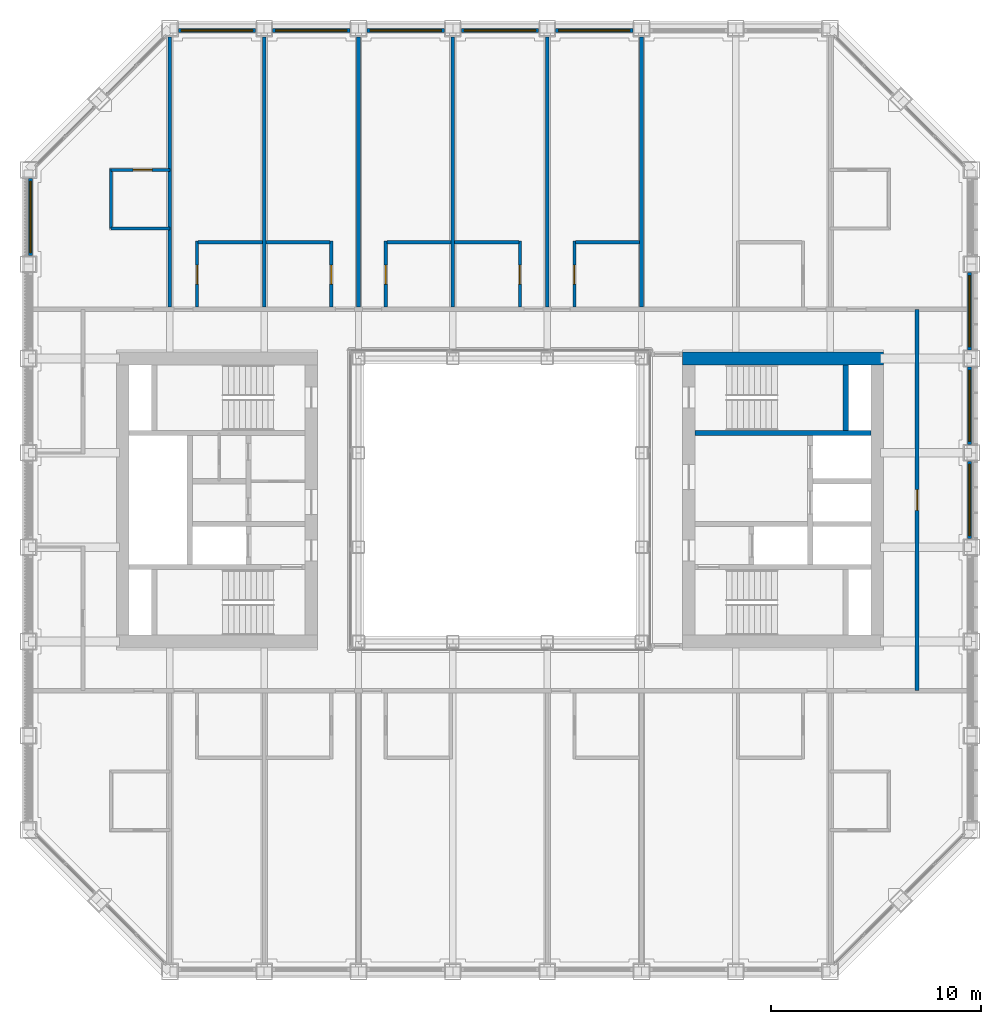
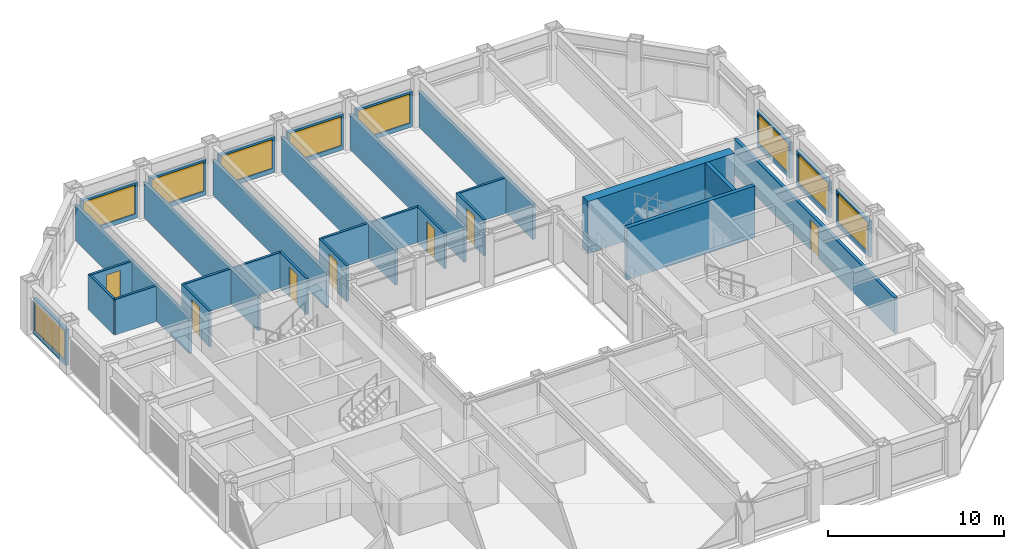
# One storey, part 13 of 17: 32 walls, 9 windows, 7 doors, 16 openings.
"""IFC4 building model written with IfcOpenShell, lengths in metres."""

import ifcopenshell
import ifcopenshell.guid

model = None  # the IFC model being written
_history = None  # IfcOwnerHistory: only IFC2X3 demands one
_inside = {}  # id of a spatial element -> (the spatial element, [elements in it])
_under = {}  # id of a project, library or spatial element -> (it, [spatial elements below it])
_declared = {}  # id of a project -> (the project, [libraries it declares])
_typed = {}  # id of a type object -> (the type object, [elements of that type])
_made_of = {}  # id of a material, layer set ... -> (it, [elements and type objects made of it])


def new_model(schema):
    """Start an empty IFC model of exactly this schema.

    Asked for "IFC4X3", IfcOpenShell would pick the latest addendum, in which some entities
    have other attributes; the version numbers below select the first issue.
    IFC2X3 requires an IfcOwnerHistory on every rooted entity: one is made here for all.
    """
    global model, _history
    if schema == "IFC4X3":
        model = ifcopenshell.file(schema_version=(4, 3, 0, 0))
    else:
        model = ifcopenshell.file(schema=schema)
    _inside.clear()
    _under.clear()
    _declared.clear()
    _typed.clear()
    _made_of.clear()
    _history = None
    if model.schema == "IFC2X3":
        org = make("IfcOrganization", Name="unknown")
        user = make(
            "IfcPersonAndOrganization",
            ThePerson=make("IfcPerson", FamilyName="unknown"),
            TheOrganization=org,
        )
        app = make(
            "IfcApplication",
            ApplicationDeveloper=org,
            Version="unknown",
            ApplicationFullName="unknown",
            ApplicationIdentifier="unknown",
        )
        _history = make(
            "IfcOwnerHistory",
            OwningUser=user,
            OwningApplication=app,
            ChangeAction="ADDED",
            CreationDate=0,
        )
    return model


def make(cls, **values):
    """One entity of the class cls with the attributes given. An attribute that is None is left unset."""
    return model.create_entity(
        cls, **{name: value for name, value in values.items() if value is not None}
    )


def rooted(cls, **values):
    """An entity with a GlobalId (a new one), such as an element, a storey or a relation."""
    return make(cls, GlobalId=ifcopenshell.guid.new(), OwnerHistory=_history, **values)


def si_unit(unit_type, name, prefix=None):
    """IfcSIUnit, for example si_unit("LENGTHUNIT", "METRE", prefix="MILLI")."""
    return make("IfcSIUnit", UnitType=unit_type, Prefix=prefix, Name=name)


def assignment(units):
    """IfcUnitAssignment: the units of a project."""
    return None if units is None else make("IfcUnitAssignment", Units=units)


def point(xyz):
    """IfcCartesianPoint."""
    return None if xyz is None else make("IfcCartesianPoint", Coordinates=xyz)


def direction(xyz):
    """IfcDirection."""
    return None if xyz is None else make("IfcDirection", DirectionRatios=xyz)


def frame(location, z_axis=None, x_axis=None):
    """IfcAxis2Placement3D, a coordinate frame: its origin and axes. An axis left out is left unset."""
    return make(
        "IfcAxis2Placement3D",
        Location=point(location),
        Axis=direction(z_axis),
        RefDirection=direction(x_axis),
    )


def frame_2d(location, x_axis=None):
    """IfcAxis2Placement2D, a coordinate frame in the plane: its origin and x axis."""
    return make(
        "IfcAxis2Placement2D", Location=point(location), RefDirection=direction(x_axis)
    )


def origin():
    """The frame at (0, 0, 0) with its axes left unset."""
    return frame((0.0, 0.0, 0.0))


def place(relative_to, where):
    """IfcLocalPlacement: puts the frame where relative to a parent placement (None: the world)."""
    return make(
        "IfcLocalPlacement", PlacementRelTo=relative_to, RelativePlacement=where
    )


def context(
    kind, dimensions, precision=None, world=None, true_north=None, identifier=None
):
    """IfcGeometricRepresentationContext, for example the 3D "Model" context."""
    return make(
        "IfcGeometricRepresentationContext",
        ContextIdentifier=identifier,
        ContextType=kind,
        CoordinateSpaceDimension=dimensions,
        Precision=precision,
        WorldCoordinateSystem=world,
        TrueNorth=true_north,
    )


def subcontext(parent, identifier, kind, view, scale=None):
    """IfcGeometricRepresentationSubContext, for example "Body" below "Model"."""
    return make(
        "IfcGeometricRepresentationSubContext",
        ContextIdentifier=identifier,
        ContextType=kind,
        ParentContext=parent,
        TargetScale=scale,
        TargetView=view,
    )


def project(units=None, contexts=None):
    """IfcProject with its units and contexts."""
    return rooted(
        "IfcProject",
        Name="project",
        RepresentationContexts=contexts,
        UnitsInContext=assignment(units),
    )


def spatial(cls, under=None, at=None, **own):
    """A site, building, storey or space (cls), placed at a placement, below another one or the project."""
    s = rooted(cls, ObjectPlacement=at, **own)
    if under is not None:
        _under.setdefault(under.id(), (under, []))[1].append(s)
    return s


def profile(cls, at=None, kind="AREA", **sizes):
    """A parametric profile (cls). Its sizes go by their IFC names, for example OverallWidth=200.0."""
    return make(cls, ProfileType=kind, Position=at, **sizes)


def rectangle(**sizes):
    """IfcRectangleProfileDef."""
    return profile("IfcRectangleProfileDef", **sizes)


def extrude(swept, where, along, depth):
    """IfcExtrudedAreaSolid: the profile swept, set in the frame where, extruded along a direction by depth."""
    return make(
        "IfcExtrudedAreaSolid",
        SweptArea=swept,
        Position=where,
        ExtrudedDirection=direction(along),
        Depth=depth,
    )


def shape(context_of_items, identifier, shape_type, items):
    """IfcShapeRepresentation: the items that make up one representation, for example the "Body"."""
    return make(
        "IfcShapeRepresentation",
        ContextOfItems=context_of_items,
        RepresentationIdentifier=identifier,
        RepresentationType=shape_type,
        Items=items,
    )


def material(Name=None, Category=None):
    """IfcMaterial."""
    return make("IfcMaterial", Name=Name, Category=Category)


def layer(
    of_material, thickness, ventilated=None, Name=None, Category=None, Priority=None
):
    """IfcMaterialLayer: one layer of a wall or slab, of a material (None: an air gap)."""
    return make(
        "IfcMaterialLayer",
        Material=of_material,
        LayerThickness=thickness,
        IsVentilated=ventilated,
        Name=Name,
        Category=Category,
        Priority=Priority,
    )


def layer_set(layers, Name=None):
    """IfcMaterialLayerSet."""
    return make("IfcMaterialLayerSet", MaterialLayers=layers, LayerSetName=Name)


def made_of(thing, what):
    """Note that an element or type object is made of a material, layer set ...; save() writes the relation."""
    if what is not None:
        _made_of.setdefault(what.id(), (what, []))[1].append(thing)
    return thing


def type_object(cls, material=None, **own):
    """A type object (cls), such as IfcWallType, which elements share."""
    return made_of(rooted(cls, **own), material)


def element(
    cls,
    number,
    at=None,
    inside=None,
    cuts=None,
    type_object=None,
    material=None,
    context=None,
    identifier="Body",
    shape_type=None,
    held_by="IfcProductDefinitionShape",
    body=None,
    shapes=None,
    **own,
):
    """One element of the class cls, such as IfcWall. Its Tag is "e" and its number.

    at: its placement. inside: the storey or other place that contains it. cuts: it is an
    opening in that element (IfcRelVoidsElement). A single representation is given by context,
    identifier, shape_type and body (its items); several are given by shapes. held_by: the class
    of the entity that holds the representations. save() writes the other relations.
    """
    e = rooted(cls, Tag="e%d" % number, ObjectPlacement=at, **own)
    if body is not None:
        shapes = [shape(context, identifier, shape_type, body)]
    if shapes is not None:
        e.Representation = make(held_by, Representations=shapes)
    if inside is not None:
        _inside.setdefault(inside.id(), (inside, []))[1].append(e)
    if cuts is not None:
        rooted(
            "IfcRelVoidsElement", RelatingBuildingElement=cuts, RelatedOpeningElement=e
        )
    if type_object is not None:
        _typed.setdefault(type_object.id(), (type_object, []))[1].append(e)
    return made_of(e, material)


def fill(opening, filler):
    """IfcRelFillsElement: the door or window that sits in an opening."""
    return rooted(
        "IfcRelFillsElement",
        RelatingOpeningElement=opening,
        RelatedBuildingElement=filler,
    )


def aggregate(whole, parts):
    """IfcRelAggregates: a whole, such as a stair, and the parts it consists of."""
    return rooted("IfcRelAggregates", RelatingObject=whole, RelatedObjects=parts)


def save(model, path):
    """Write the relations noted so far, then the file.

    IfcRelAggregates (storeys below a building ...), IfcRelContainedInSpatialStructure (elements
    in a storey), IfcRelDefinesByType, IfcRelAssociatesMaterial and IfcRelDeclares: one each for
    every whole, place, type object, material and project.
    """
    for whole, parts in _under.values():
        aggregate(whole, parts)
    for where, things in _inside.values():
        rooted(
            "IfcRelContainedInSpatialStructure",
            RelatedElements=things,
            RelatingStructure=where,
        )
    for kind, things in _typed.values():
        rooted("IfcRelDefinesByType", RelatedObjects=things, RelatingType=kind)
    for what, things in _made_of.values():
        rooted("IfcRelAssociatesMaterial", RelatedObjects=things, RelatingMaterial=what)
    for by, libraries in _declared.values():
        rooted("IfcRelDeclares", RelatingContext=by, RelatedDefinitions=libraries)
    model.write(path)


model = new_model("IFC4")

# Units and contexts
model_context = context("Model", 3, precision=1e-05, world=origin(), true_north=direction((0.0, 1.0)))
body_context = subcontext(model_context, "Body", "Model", "MODEL_VIEW")
ifc_project = project(units=[si_unit("LENGTHUNIT", "METRE"), si_unit("AREAUNIT", "SQUARE_METRE"), si_unit("VOLUMEUNIT", "CUBIC_METRE"), si_unit("PLANEANGLEUNIT", "RADIAN"), si_unit("MASSUNIT", "GRAM", prefix="KILO")], contexts=[model_context])

# Site, building, storey
site_placement = place(None, origin())
site = spatial("IfcSite", under=ifc_project, at=site_placement, CompositionType="ELEMENT")
building_placement = place(site_placement, origin())
building = spatial("IfcBuilding", under=site, at=building_placement, Name="Msasa Ring Tower", CompositionType="ELEMENT")
storey_placement = place(building_placement, frame((0.0, 0.0, 140.0)))
storey = spatial("IfcBuildingStorey", under=building, at=storey_placement, Name="L36", CompositionType="ELEMENT", Elevation=140.0)

# Walls
ifc_material_1 = material(Name="Concrete C60/75", Category="concrete")
ifc_layer_1 = layer(ifc_material_1, 0.60009765625)
ifc_layer_set_1 = layer_set([ifc_layer_1], Name="CW2 CORE WALL 600")
wall_type_1 = type_object("IfcWallType", Name="CW2 CORE WALL 600", PredefinedType="SHEAR", material=ifc_layer_set_1)
wall_1_placement = place(storey_placement, frame((8.699951171875, 6.75, 0.0), z_axis=(0.0, 0.0, 1.0), x_axis=(1.0, 0.0, 0.0)))
element("IfcWall", 1, at=wall_1_placement, inside=storey, type_object=wall_type_1, Name="E core wall N L36", PredefinedType="SHEAR", context=body_context, shape_type="SweptSolid", body=[
    extrude(rectangle(XDim=9.60009765625, YDim=0.60009765625, at=frame_2d((4.800048828125, 0.0))), origin(), (0.0, 0.0, 1.0), 3.60009765625),
])
ifc_material_2 = material(Name="Concrete C60/75", Category="concrete")
ifc_layer_2 = layer(ifc_material_2, 0.25)
ifc_layer_set_2 = layer_set([ifc_layer_2], Name="CW4 CORE INNER WALL 250")
wall_type_2 = type_object("IfcWallType", Name="CW4 CORE INNER WALL 250", PredefinedType="SHEAR", material=ifc_layer_set_2)
wall_2_placement = place(storey_placement, frame((9.300048828125, 3.199951171875, 0.0), z_axis=(0.0, 0.0, 1.0), x_axis=(1.0, 0.0, 0.0)))
element("IfcWall", 2, at=wall_2_placement, inside=storey, type_object=wall_type_2, Name="E core wall STAIRB L36", PredefinedType="SHEAR", context=body_context, shape_type="SweptSolid", body=[
    extrude(rectangle(XDim=8.39990234375, YDim=0.25, at=frame_2d((4.199951171875, 0.0))), origin(), (0.0, 0.0, 1.0), 3.60009765625),
])
wall_3_placement = place(storey_placement, frame((16.5, 3.324951171875, 0.0), z_axis=(0.0, 0.0, 1.0), x_axis=(0.0, 1.0, 0.0)))
element("IfcWall", 3, at=wall_3_placement, inside=storey, type_object=wall_type_2, Name="E core wall RISERB L36", PredefinedType="SHEAR", context=body_context, shape_type="SweptSolid", body=[
    extrude(rectangle(XDim=3.125, YDim=0.25, at=frame_2d((1.5625, 0.0))), origin(), (0.0, 0.0, 1.0), 3.60009765625),
])

# Wall, opening, window
ifc_material_3 = material(Name="Terracotta rainscreen on blockwork", Category="masonry")
ifc_layer_3 = layer(ifc_material_3, 0.199951171875)
ifc_layer_set_3 = layer_set([ifc_layer_3], Name="FW1 TERRACOTTA-LINED INFILL BAY WALL 200")
wall_type_3 = type_object("IfcWallType", Name="FW1 TERRACOTTA-LINED INFILL BAY WALL 200", PredefinedType="SOLIDWALL", material=ifc_layer_set_3)
wall_4_placement = place(storey_placement, frame((22.39990234375, -1.844970703125, 0.0), z_axis=(0.0, 0.0, 1.0), x_axis=(0.0, 1.0, 0.0)))
wall_4 = element("IfcWall", 4, at=wall_4_placement, inside=storey, type_object=wall_type_3, Name="Infill bay wall E L36 12", PredefinedType="SOLIDWALL", context=body_context, shape_type="SweptSolid", body=[
    extrude(rectangle(XDim=3.68994140625, YDim=0.199951171875, at=frame_2d((1.844970703125, 0.0))), origin(), (0.0, 0.0, 1.0), 2.47900390625),
])
opening_1_placement = place(wall_4_placement, frame((0.14501953125, 0.0, 0.300048828125)))
opening_1 = element("IfcOpeningElement", 5, at=opening_1_placement, cuts=wall_4, Name="Opening WN2", PredefinedType="OPENING", context=body_context, shape_type="SweptSolid", body=[
    extrude(rectangle(XDim=3.39990234375, YDim=2.029052734375, at=frame_2d((1.699951171875, 1.0146484375))), frame((0.0, 0.10986328125, 0.0), z_axis=(0.0, -1.0, 0.0), x_axis=(1.0, 0.0, 0.0)), (0.0, 0.0, 1.0), 0.219970703125),
])
ifc_material_4 = material(Name="Aluminium frame with clear glass", Category="aluminium")
window_type = type_object("IfcWindowType", Name="WN2 GUEST ROOM WINDOW 3400x2029", PartitioningType="SINGLE_PANEL", PredefinedType="WINDOW", material=ifc_material_4)
window_1_placement = place(opening_1_placement, origin())
window_1 = element("IfcWindow", 6, at=window_1_placement, inside=storey, type_object=window_type, Name="Window E L36 12", OverallHeight=2.029052734375, OverallWidth=3.39990234375, PartitioningType="SINGLE_PANEL", PredefinedType="WINDOW", context=body_context, shape_type="SweptSolid", body=[
    extrude(rectangle(XDim=3.39990234375, YDim=2.029052734375, at=frame_2d((1.699951171875, 1.0146484375))), frame((0.0, 0.030029296875, 0.0), z_axis=(0.0, -1.0, 0.0), x_axis=(1.0, 0.0, 0.0)), (0.0, 0.0, 1.0), 0.06005859375),
])
fill(opening_1, window_1)

wall_5_placement = place(storey_placement, frame((22.39990234375, 2.655029296875, 0.0), z_axis=(0.0, 0.0, 1.0), x_axis=(0.0, 1.0, 0.0)))
wall_5 = element("IfcWall", 7, at=wall_5_placement, inside=storey, type_object=wall_type_3, Name="Infill bay wall E L36 13", PredefinedType="SOLIDWALL", context=body_context, shape_type="SweptSolid", body=[
    extrude(rectangle(XDim=3.68994140625, YDim=0.199951171875, at=frame_2d((1.844970703125, 0.0))), origin(), (0.0, 0.0, 1.0), 2.47900390625),
])
opening_2_placement = place(wall_5_placement, frame((0.14501953125, 0.0, 0.300048828125)))
opening_2 = element("IfcOpeningElement", 8, at=opening_2_placement, cuts=wall_5, Name="Opening WN2", PredefinedType="OPENING", context=body_context, shape_type="SweptSolid", body=[
    extrude(rectangle(XDim=3.39990234375, YDim=2.029052734375, at=frame_2d((1.699951171875, 1.0146484375))), frame((0.0, 0.10986328125, 0.0), z_axis=(0.0, -1.0, 0.0), x_axis=(1.0, 0.0, 0.0)), (0.0, 0.0, 1.0), 0.219970703125),
])
window_2_placement = place(opening_2_placement, origin())
window_2 = element("IfcWindow", 9, at=window_2_placement, inside=storey, type_object=window_type, Name="Window E L36 13", OverallHeight=2.029052734375, OverallWidth=3.39990234375, PartitioningType="SINGLE_PANEL", PredefinedType="WINDOW", context=body_context, shape_type="SweptSolid", body=[
    extrude(rectangle(XDim=3.39990234375, YDim=2.029052734375, at=frame_2d((1.699951171875, 1.0146484375))), frame((0.0, 0.030029296875, 0.0), z_axis=(0.0, -1.0, 0.0), x_axis=(1.0, 0.0, 0.0)), (0.0, 0.0, 1.0), 0.06005859375),
])
fill(opening_2, window_2)

wall_6_placement = place(storey_placement, frame((22.39990234375, 7.155029296875, 0.0), z_axis=(0.0, 0.0, 1.0), x_axis=(0.0, 1.0, 0.0)))
wall_6 = element("IfcWall", 10, at=wall_6_placement, inside=storey, type_object=wall_type_3, Name="Infill bay wall E L36 14", PredefinedType="SOLIDWALL", context=body_context, shape_type="SweptSolid", body=[
    extrude(rectangle(XDim=3.68994140625, YDim=0.199951171875, at=frame_2d((1.844970703125, 0.0))), origin(), (0.0, 0.0, 1.0), 2.47900390625),
])
opening_3_placement = place(wall_6_placement, frame((0.14501953125, 0.0, 0.300048828125)))
opening_3 = element("IfcOpeningElement", 11, at=opening_3_placement, cuts=wall_6, Name="Opening WN2", PredefinedType="OPENING", context=body_context, shape_type="SweptSolid", body=[
    extrude(rectangle(XDim=3.39990234375, YDim=2.029052734375, at=frame_2d((1.699951171875, 1.0146484375))), frame((0.0, 0.10986328125, 0.0), z_axis=(0.0, -1.0, 0.0), x_axis=(1.0, 0.0, 0.0)), (0.0, 0.0, 1.0), 0.219970703125),
])
window_3_placement = place(opening_3_placement, origin())
window_3 = element("IfcWindow", 12, at=window_3_placement, inside=storey, type_object=window_type, Name="Window E L36 14", OverallHeight=2.029052734375, OverallWidth=3.39990234375, PartitioningType="SINGLE_PANEL", PredefinedType="WINDOW", context=body_context, shape_type="SweptSolid", body=[
    extrude(rectangle(XDim=3.39990234375, YDim=2.029052734375, at=frame_2d((1.699951171875, 1.0146484375))), frame((0.0, 0.030029296875, 0.0), z_axis=(0.0, -1.0, 0.0), x_axis=(1.0, 0.0, 0.0)), (0.0, 0.0, 1.0), 0.06005859375),
])
fill(opening_3, window_3)

wall_7_placement = place(storey_placement, frame((-15.344970703125, 22.39990234375, 0.0), z_axis=(0.0, 0.0, 1.0), x_axis=(1.0, 0.0, 0.0)))
wall_7 = element("IfcWall", 13, at=wall_7_placement, inside=storey, type_object=wall_type_3, Name="Infill bay wall N L36 18", PredefinedType="SOLIDWALL", context=body_context, shape_type="SweptSolid", body=[
    extrude(rectangle(XDim=3.68994140625, YDim=0.199951171875, at=frame_2d((1.844970703125, 0.0))), origin(), (0.0, 0.0, 1.0), 2.47900390625),
])
opening_4_placement = place(wall_7_placement, frame((0.14501953125, 0.0, 0.300048828125)))
opening_4 = element("IfcOpeningElement", 14, at=opening_4_placement, cuts=wall_7, Name="Opening WN2", PredefinedType="OPENING", context=body_context, shape_type="SweptSolid", body=[
    extrude(rectangle(XDim=3.39990234375, YDim=2.029052734375, at=frame_2d((1.699951171875, 1.0146484375))), frame((0.0, 0.10986328125, 0.0), z_axis=(0.0, -1.0, 0.0), x_axis=(1.0, 0.0, 0.0)), (0.0, 0.0, 1.0), 0.219970703125),
])
window_4_placement = place(opening_4_placement, origin())
window_4 = element("IfcWindow", 15, at=window_4_placement, inside=storey, type_object=window_type, Name="Window N L36 18", OverallHeight=2.029052734375, OverallWidth=3.39990234375, PartitioningType="SINGLE_PANEL", PredefinedType="WINDOW", context=body_context, shape_type="SweptSolid", body=[
    extrude(rectangle(XDim=3.39990234375, YDim=2.029052734375, at=frame_2d((1.699951171875, 1.0146484375))), frame((0.0, 0.030029296875, 0.0), z_axis=(0.0, -1.0, 0.0), x_axis=(1.0, 0.0, 0.0)), (0.0, 0.0, 1.0), 0.06005859375),
])
fill(opening_4, window_4)

wall_8_placement = place(storey_placement, frame((-10.844970703125, 22.39990234375, 0.0), z_axis=(0.0, 0.0, 1.0), x_axis=(1.0, 0.0, 0.0)))
wall_8 = element("IfcWall", 16, at=wall_8_placement, inside=storey, type_object=wall_type_3, Name="Infill bay wall N L36 19", PredefinedType="SOLIDWALL", context=body_context, shape_type="SweptSolid", body=[
    extrude(rectangle(XDim=3.68994140625, YDim=0.199951171875, at=frame_2d((1.844970703125, 0.0))), origin(), (0.0, 0.0, 1.0), 2.47900390625),
])
opening_5_placement = place(wall_8_placement, frame((0.14501953125, 0.0, 0.300048828125)))
opening_5 = element("IfcOpeningElement", 17, at=opening_5_placement, cuts=wall_8, Name="Opening WN2", PredefinedType="OPENING", context=body_context, shape_type="SweptSolid", body=[
    extrude(rectangle(XDim=3.39990234375, YDim=2.029052734375, at=frame_2d((1.699951171875, 1.0146484375))), frame((0.0, 0.10986328125, 0.0), z_axis=(0.0, -1.0, 0.0), x_axis=(1.0, 0.0, 0.0)), (0.0, 0.0, 1.0), 0.219970703125),
])
window_5_placement = place(opening_5_placement, origin())
window_5 = element("IfcWindow", 18, at=window_5_placement, inside=storey, type_object=window_type, Name="Window N L36 19", OverallHeight=2.029052734375, OverallWidth=3.39990234375, PartitioningType="SINGLE_PANEL", PredefinedType="WINDOW", context=body_context, shape_type="SweptSolid", body=[
    extrude(rectangle(XDim=3.39990234375, YDim=2.029052734375, at=frame_2d((1.699951171875, 1.0146484375))), frame((0.0, 0.030029296875, 0.0), z_axis=(0.0, -1.0, 0.0), x_axis=(1.0, 0.0, 0.0)), (0.0, 0.0, 1.0), 0.06005859375),
])
fill(opening_5, window_5)

wall_9_placement = place(storey_placement, frame((-6.344970703125, 22.39990234375, 0.0), z_axis=(0.0, 0.0, 1.0), x_axis=(1.0, 0.0, 0.0)))
wall_9 = element("IfcWall", 19, at=wall_9_placement, inside=storey, type_object=wall_type_3, Name="Infill bay wall N L36 20", PredefinedType="SOLIDWALL", context=body_context, shape_type="SweptSolid", body=[
    extrude(rectangle(XDim=3.68994140625, YDim=0.199951171875, at=frame_2d((1.844970703125, 0.0))), origin(), (0.0, 0.0, 1.0), 2.47900390625),
])
opening_6_placement = place(wall_9_placement, frame((0.14501953125, 0.0, 0.300048828125)))
opening_6 = element("IfcOpeningElement", 20, at=opening_6_placement, cuts=wall_9, Name="Opening WN2", PredefinedType="OPENING", context=body_context, shape_type="SweptSolid", body=[
    extrude(rectangle(XDim=3.39990234375, YDim=2.029052734375, at=frame_2d((1.699951171875, 1.0146484375))), frame((0.0, 0.10986328125, 0.0), z_axis=(0.0, -1.0, 0.0), x_axis=(1.0, 0.0, 0.0)), (0.0, 0.0, 1.0), 0.219970703125),
])
window_6_placement = place(opening_6_placement, origin())
window_6 = element("IfcWindow", 21, at=window_6_placement, inside=storey, type_object=window_type, Name="Window N L36 20", OverallHeight=2.029052734375, OverallWidth=3.39990234375, PartitioningType="SINGLE_PANEL", PredefinedType="WINDOW", context=body_context, shape_type="SweptSolid", body=[
    extrude(rectangle(XDim=3.39990234375, YDim=2.029052734375, at=frame_2d((1.699951171875, 1.0146484375))), frame((0.0, 0.030029296875, 0.0), z_axis=(0.0, -1.0, 0.0), x_axis=(1.0, 0.0, 0.0)), (0.0, 0.0, 1.0), 0.06005859375),
])
fill(opening_6, window_6)

wall_10_placement = place(storey_placement, frame((-1.844970703125, 22.39990234375, 0.0), z_axis=(0.0, 0.0, 1.0), x_axis=(1.0, 0.0, 0.0)))
wall_10 = element("IfcWall", 22, at=wall_10_placement, inside=storey, type_object=wall_type_3, Name="Infill bay wall N L36 21", PredefinedType="SOLIDWALL", context=body_context, shape_type="SweptSolid", body=[
    extrude(rectangle(XDim=3.68994140625, YDim=0.199951171875, at=frame_2d((1.844970703125, 0.0))), origin(), (0.0, 0.0, 1.0), 2.47900390625),
])
opening_7_placement = place(wall_10_placement, frame((0.14501953125, 0.0, 0.300048828125)))
opening_7 = element("IfcOpeningElement", 23, at=opening_7_placement, cuts=wall_10, Name="Opening WN2", PredefinedType="OPENING", context=body_context, shape_type="SweptSolid", body=[
    extrude(rectangle(XDim=3.39990234375, YDim=2.029052734375, at=frame_2d((1.699951171875, 1.0146484375))), frame((0.0, 0.10986328125, 0.0), z_axis=(0.0, -1.0, 0.0), x_axis=(1.0, 0.0, 0.0)), (0.0, 0.0, 1.0), 0.219970703125),
])
window_7_placement = place(opening_7_placement, origin())
window_7 = element("IfcWindow", 24, at=window_7_placement, inside=storey, type_object=window_type, Name="Window N L36 21", OverallHeight=2.029052734375, OverallWidth=3.39990234375, PartitioningType="SINGLE_PANEL", PredefinedType="WINDOW", context=body_context, shape_type="SweptSolid", body=[
    extrude(rectangle(XDim=3.39990234375, YDim=2.029052734375, at=frame_2d((1.699951171875, 1.0146484375))), frame((0.0, 0.030029296875, 0.0), z_axis=(0.0, -1.0, 0.0), x_axis=(1.0, 0.0, 0.0)), (0.0, 0.0, 1.0), 0.06005859375),
])
fill(opening_7, window_7)

wall_11_placement = place(storey_placement, frame((2.655029296875, 22.39990234375, 0.0), z_axis=(0.0, 0.0, 1.0), x_axis=(1.0, 0.0, 0.0)))
wall_11 = element("IfcWall", 25, at=wall_11_placement, inside=storey, type_object=wall_type_3, Name="Infill bay wall N L36 22", PredefinedType="SOLIDWALL", context=body_context, shape_type="SweptSolid", body=[
    extrude(rectangle(XDim=3.68994140625, YDim=0.199951171875, at=frame_2d((1.844970703125, 0.0))), origin(), (0.0, 0.0, 1.0), 2.47900390625),
])
opening_8_placement = place(wall_11_placement, frame((0.14501953125, 0.0, 0.300048828125)))
opening_8 = element("IfcOpeningElement", 26, at=opening_8_placement, cuts=wall_11, Name="Opening WN2", PredefinedType="OPENING", context=body_context, shape_type="SweptSolid", body=[
    extrude(rectangle(XDim=3.39990234375, YDim=2.029052734375, at=frame_2d((1.699951171875, 1.0146484375))), frame((0.0, 0.10986328125, 0.0), z_axis=(0.0, -1.0, 0.0), x_axis=(1.0, 0.0, 0.0)), (0.0, 0.0, 1.0), 0.219970703125),
])
window_8_placement = place(opening_8_placement, origin())
window_8 = element("IfcWindow", 27, at=window_8_placement, inside=storey, type_object=window_type, Name="Window N L36 22", OverallHeight=2.029052734375, OverallWidth=3.39990234375, PartitioningType="SINGLE_PANEL", PredefinedType="WINDOW", context=body_context, shape_type="SweptSolid", body=[
    extrude(rectangle(XDim=3.39990234375, YDim=2.029052734375, at=frame_2d((1.699951171875, 1.0146484375))), frame((0.0, 0.030029296875, 0.0), z_axis=(0.0, -1.0, 0.0), x_axis=(1.0, 0.0, 0.0)), (0.0, 0.0, 1.0), 0.06005859375),
])
fill(opening_8, window_8)

wall_12_placement = place(storey_placement, frame((-22.39990234375, 11.655029296875, 0.0), z_axis=(0.0, 0.0, 1.0), x_axis=(0.0, 1.0, 0.0)))
wall_12 = element("IfcWall", 28, at=wall_12_placement, inside=storey, type_object=wall_type_3, Name="Infill bay wall W L36 33", PredefinedType="SOLIDWALL", context=body_context, shape_type="SweptSolid", body=[
    extrude(rectangle(XDim=3.68994140625, YDim=0.199951171875, at=frame_2d((1.844970703125, 0.0))), origin(), (0.0, 0.0, 1.0), 2.47900390625),
])
opening_9_placement = place(wall_12_placement, frame((0.14501953125, 0.0, 0.300048828125)))
opening_9 = element("IfcOpeningElement", 29, at=opening_9_placement, cuts=wall_12, Name="Opening WN2", PredefinedType="OPENING", context=body_context, shape_type="SweptSolid", body=[
    extrude(rectangle(XDim=3.39990234375, YDim=2.029052734375, at=frame_2d((1.699951171875, 1.0146484375))), frame((0.0, 0.10986328125, 0.0), z_axis=(0.0, -1.0, 0.0), x_axis=(1.0, 0.0, 0.0)), (0.0, 0.0, 1.0), 0.219970703125),
])
window_9_placement = place(opening_9_placement, origin())
window_9 = element("IfcWindow", 30, at=window_9_placement, inside=storey, type_object=window_type, Name="Window W L36 33", OverallHeight=2.029052734375, OverallWidth=3.39990234375, PartitioningType="SINGLE_PANEL", PredefinedType="WINDOW", context=body_context, shape_type="SweptSolid", body=[
    extrude(rectangle(XDim=3.39990234375, YDim=2.029052734375, at=frame_2d((1.699951171875, 1.0146484375))), frame((0.0, 0.030029296875, 0.0), z_axis=(0.0, -1.0, 0.0), x_axis=(1.0, 0.0, 0.0)), (0.0, 0.0, 1.0), 0.06005859375),
])
fill(opening_9, window_9)

# Wall, opening, door
ifc_material_5 = material(Name="Concrete blockwork", Category="masonry")
ifc_layer_4 = layer(ifc_material_5, 0.199951171875)
ifc_layer_set_4 = layer_set([ifc_layer_4], Name="PT1 CORRIDOR WALL 200")
wall_type_4 = type_object("IfcWallType", Name="PT1 CORRIDOR WALL 200", PredefinedType="PARTITIONING", material=ifc_layer_set_4)
wall_13_placement = place(storey_placement, frame((19.89990234375, -9.10009765625, 0.0), z_axis=(0.0, 0.0, 1.0), x_axis=(0.0, 1.0, 0.0)))
wall_13 = element("IfcWall", 31, at=wall_13_placement, inside=storey, type_object=wall_type_4, Name="Corridor wall L36-STRE", PredefinedType="PARTITIONING", context=body_context, shape_type="SweptSolid", body=[
    extrude(rectangle(XDim=18.2001953125, YDim=0.199951171875, at=frame_2d((9.10009765625, 0.0))), origin(), (0.0, 0.0, 1.0), 2.473388671875),
])
opening_10_placement = place(wall_13_placement, frame((8.60009765625, 0.0, 0.0)))
opening_10 = element("IfcOpeningElement", 32, at=opening_10_placement, cuts=wall_13, Name="Opening HC-025", PredefinedType="OPENING", context=body_context, shape_type="SweptSolid", body=[
    extrude(rectangle(XDim=1.0, YDim=2.10009765625, at=frame_2d((0.5, 1.050048828125))), frame((0.0, 0.10986328125, 0.0), z_axis=(0.0, -1.0, 0.0), x_axis=(1.0, 0.0, 0.0)), (0.0, 0.0, 1.0), 0.219970703125),
])
ifc_material_6 = material(Name="Timber door leaf in a steel frame", Category="steel")
door_type_1 = type_object("IfcDoorType", Name="D10 STORE DOOR 1000x2100", OperationType="SINGLE_SWING_LEFT", PredefinedType="DOOR", material=ifc_material_6)
door_1_placement = place(opening_10_placement, origin())
door_1 = element("IfcDoor", 33, at=door_1_placement, inside=storey, type_object=door_type_1, Name="Door L36-LGE", OperationType="SINGLE_SWING_LEFT", OverallHeight=2.10009765625, OverallWidth=1.0, PredefinedType="DOOR", context=body_context, shape_type="SweptSolid", body=[
    extrude(rectangle(XDim=1.0, YDim=2.10009765625, at=frame_2d((0.5, 1.050048828125))), frame((0.0, 0.02490234375, 0.0), z_axis=(0.0, -1.0, 0.0), x_axis=(1.0, 0.0, 0.0)), (0.0, 0.0, 1.0), 0.050048828125),
])
fill(opening_10, door_1)

ifc_material_7 = material(Name="Moisture-resistant board on steel studs with a concealed cistern and pipe void, tiled", Category="steel")
ifc_layer_5 = layer(ifc_material_7, 0.14990234375)
ifc_layer_set_5 = layer_set([ifc_layer_5], Name="PT4 BATHROOM WET WALL 150")
wall_type_5 = type_object("IfcWallType", Name="PT4 BATHROOM WET WALL 150", PredefinedType="PARTITIONING", material=ifc_layer_set_5)
wall_14_placement = place(storey_placement, frame((-14.449951171875, 9.199951171875, 0.0), z_axis=(0.0, 0.0, 1.0), x_axis=(0.0, 1.0, 0.0)))
wall_14 = element("IfcWall", 34, at=wall_14_placement, inside=storey, type_object=wall_type_5, Name="Partition L36-GN00BX", PredefinedType="PARTITIONING", context=body_context, shape_type="SweptSolid", body=[
    extrude(rectangle(XDim=3.150146484375, YDim=0.14990234375, at=frame_2d((1.5751953125, 0.0))), origin(), (0.0, 0.0, 1.0), 2.473388671875),
])
opening_11_placement = place(wall_14_placement, frame((1.10009765625, 0.0, 0.0)))
opening_11 = element("IfcOpeningElement", 35, at=opening_11_placement, cuts=wall_14, Name="Opening HC-003", PredefinedType="OPENING", context=body_context, shape_type="SweptSolid", body=[
    extrude(rectangle(XDim=0.89990234375, YDim=2.10009765625, at=frame_2d((0.449951171875, 1.050048828125))), frame((0.0, 0.0849609375, 0.0), z_axis=(0.0, -1.0, 0.0), x_axis=(1.0, 0.0, 0.0)), (0.0, 0.0, 1.0), 0.169921875),
])
ifc_material_8 = material(Name="Timber door leaf in a steel frame", Category="steel")
door_type_2 = type_object("IfcDoorType", Name="D3 BATHROOM DOOR 900x2100", OperationType="SINGLE_SWING_LEFT", PredefinedType="DOOR", material=ifc_material_8)
door_2_placement = place(opening_11_placement, origin())
door_2 = element("IfcDoor", 36, at=door_2_placement, inside=storey, type_object=door_type_2, Name="Door L36-GN00B", OperationType="SINGLE_SWING_LEFT", OverallHeight=2.10009765625, OverallWidth=0.89990234375, PredefinedType="DOOR", context=body_context, shape_type="SweptSolid", body=[
    extrude(rectangle(XDim=0.89990234375, YDim=2.10009765625, at=frame_2d((0.449951171875, 1.050048828125))), frame((0.0, 0.02490234375, 0.0), z_axis=(0.0, -1.0, 0.0), x_axis=(1.0, 0.0, 0.0)), (0.0, 0.0, 1.0), 0.050048828125),
])
fill(opening_11, door_2)

# Wall
wall_15_placement = place(storey_placement, frame((-14.39990234375, 12.300048828125, 0.0), z_axis=(0.0, 0.0, 1.0), x_axis=(1.0, 0.0, 0.0)))
element("IfcWall", 37, at=wall_15_placement, inside=storey, type_object=wall_type_5, Name="Partition L36-GN00BY", PredefinedType="PARTITIONING", context=body_context, shape_type="SweptSolid", body=[
    extrude(rectangle(XDim=3.0625, YDim=0.14990234375, at=frame_2d((1.53125, 0.0))), origin(), (0.0, 0.0, 1.0), 2.473388671875),
])

# Wall, opening, door
wall_16_placement = place(storey_placement, frame((-8.050048828125, 9.199951171875, 0.0), z_axis=(0.0, 0.0, 1.0), x_axis=(0.0, 1.0, 0.0)))
wall_16 = element("IfcWall", 38, at=wall_16_placement, inside=storey, type_object=wall_type_5, Name="Partition L36-GN01BX", PredefinedType="PARTITIONING", context=body_context, shape_type="SweptSolid", body=[
    extrude(rectangle(XDim=3.150146484375, YDim=0.14990234375, at=frame_2d((1.5751953125, 0.0))), origin(), (0.0, 0.0, 1.0), 2.473388671875),
])
opening_12_placement = place(wall_16_placement, frame((1.10009765625, 0.0, 0.0)))
opening_12 = element("IfcOpeningElement", 39, at=opening_12_placement, cuts=wall_16, Name="Opening HC-004", PredefinedType="OPENING", context=body_context, shape_type="SweptSolid", body=[
    extrude(rectangle(XDim=0.89990234375, YDim=2.10009765625, at=frame_2d((0.449951171875, 1.050048828125))), frame((0.0, 0.0849609375, 0.0), z_axis=(0.0, -1.0, 0.0), x_axis=(1.0, 0.0, 0.0)), (0.0, 0.0, 1.0), 0.169921875),
])
door_3_placement = place(opening_12_placement, origin())
door_3 = element("IfcDoor", 40, at=door_3_placement, inside=storey, type_object=door_type_2, Name="Door L36-GN01B", OperationType="SINGLE_SWING_LEFT", OverallHeight=2.10009765625, OverallWidth=0.89990234375, PredefinedType="DOOR", context=body_context, shape_type="SweptSolid", body=[
    extrude(rectangle(XDim=0.89990234375, YDim=2.10009765625, at=frame_2d((0.449951171875, 1.050048828125))), frame((0.0, 0.02490234375, 0.0), z_axis=(0.0, -1.0, 0.0), x_axis=(1.0, 0.0, 0.0)), (0.0, 0.0, 1.0), 0.050048828125),
])
fill(opening_12, door_3)

# Wall
wall_17_placement = place(storey_placement, frame((-11.16259765625, 12.300048828125, 0.0), z_axis=(0.0, 0.0, 1.0), x_axis=(1.0, 0.0, 0.0)))
element("IfcWall", 41, at=wall_17_placement, inside=storey, type_object=wall_type_5, Name="Partition L36-GN01BY", PredefinedType="PARTITIONING", context=body_context, shape_type="SweptSolid", body=[
    extrude(rectangle(XDim=3.0625, YDim=0.14990234375, at=frame_2d((1.53125, 0.0))), origin(), (0.0, 0.0, 1.0), 2.473388671875),
])

# Wall, opening, door
wall_18_placement = place(storey_placement, frame((-5.449951171875, 9.199951171875, 0.0), z_axis=(0.0, 0.0, 1.0), x_axis=(0.0, 1.0, 0.0)))
wall_18 = element("IfcWall", 42, at=wall_18_placement, inside=storey, type_object=wall_type_5, Name="Partition L36-GN02BX", PredefinedType="PARTITIONING", context=body_context, shape_type="SweptSolid", body=[
    extrude(rectangle(XDim=3.150146484375, YDim=0.14990234375, at=frame_2d((1.5751953125, 0.0))), origin(), (0.0, 0.0, 1.0), 2.473388671875),
])
opening_13_placement = place(wall_18_placement, frame((1.10009765625, 0.0, 0.0)))
opening_13 = element("IfcOpeningElement", 43, at=opening_13_placement, cuts=wall_18, Name="Opening HC-005", PredefinedType="OPENING", context=body_context, shape_type="SweptSolid", body=[
    extrude(rectangle(XDim=0.89990234375, YDim=2.10009765625, at=frame_2d((0.449951171875, 1.050048828125))), frame((0.0, 0.0849609375, 0.0), z_axis=(0.0, -1.0, 0.0), x_axis=(1.0, 0.0, 0.0)), (0.0, 0.0, 1.0), 0.169921875),
])
door_4_placement = place(opening_13_placement, origin())
door_4 = element("IfcDoor", 44, at=door_4_placement, inside=storey, type_object=door_type_2, Name="Door L36-GN02B", OperationType="SINGLE_SWING_LEFT", OverallHeight=2.10009765625, OverallWidth=0.89990234375, PredefinedType="DOOR", context=body_context, shape_type="SweptSolid", body=[
    extrude(rectangle(XDim=0.89990234375, YDim=2.10009765625, at=frame_2d((0.449951171875, 1.050048828125))), frame((0.0, 0.02490234375, 0.0), z_axis=(0.0, -1.0, 0.0), x_axis=(1.0, 0.0, 0.0)), (0.0, 0.0, 1.0), 0.050048828125),
])
fill(opening_13, door_4)

# Wall
wall_19_placement = place(storey_placement, frame((-5.39990234375, 12.300048828125, 0.0), z_axis=(0.0, 0.0, 1.0), x_axis=(1.0, 0.0, 0.0)))
element("IfcWall", 45, at=wall_19_placement, inside=storey, type_object=wall_type_5, Name="Partition L36-GN02BY", PredefinedType="PARTITIONING", context=body_context, shape_type="SweptSolid", body=[
    extrude(rectangle(XDim=3.0625, YDim=0.14990234375, at=frame_2d((1.53125, 0.0))), origin(), (0.0, 0.0, 1.0), 2.473388671875),
])

# Wall, opening, door
wall_20_placement = place(storey_placement, frame((0.949951171875, 9.199951171875, 0.0), z_axis=(0.0, 0.0, 1.0), x_axis=(0.0, 1.0, 0.0)))
wall_20 = element("IfcWall", 46, at=wall_20_placement, inside=storey, type_object=wall_type_5, Name="Partition L36-GN03BX", PredefinedType="PARTITIONING", context=body_context, shape_type="SweptSolid", body=[
    extrude(rectangle(XDim=3.150146484375, YDim=0.14990234375, at=frame_2d((1.5751953125, 0.0))), origin(), (0.0, 0.0, 1.0), 2.473388671875),
])
opening_14_placement = place(wall_20_placement, frame((1.10009765625, 0.0, 0.0)))
opening_14 = element("IfcOpeningElement", 47, at=opening_14_placement, cuts=wall_20, Name="Opening HC-006", PredefinedType="OPENING", context=body_context, shape_type="SweptSolid", body=[
    extrude(rectangle(XDim=0.89990234375, YDim=2.10009765625, at=frame_2d((0.449951171875, 1.050048828125))), frame((0.0, 0.0849609375, 0.0), z_axis=(0.0, -1.0, 0.0), x_axis=(1.0, 0.0, 0.0)), (0.0, 0.0, 1.0), 0.169921875),
])
door_5_placement = place(opening_14_placement, origin())
door_5 = element("IfcDoor", 48, at=door_5_placement, inside=storey, type_object=door_type_2, Name="Door L36-GN03B", OperationType="SINGLE_SWING_LEFT", OverallHeight=2.10009765625, OverallWidth=0.89990234375, PredefinedType="DOOR", context=body_context, shape_type="SweptSolid", body=[
    extrude(rectangle(XDim=0.89990234375, YDim=2.10009765625, at=frame_2d((0.449951171875, 1.050048828125))), frame((0.0, 0.02490234375, 0.0), z_axis=(0.0, -1.0, 0.0), x_axis=(1.0, 0.0, 0.0)), (0.0, 0.0, 1.0), 0.050048828125),
])
fill(opening_14, door_5)

# Wall
wall_21_placement = place(storey_placement, frame((-2.16259765625, 12.300048828125, 0.0), z_axis=(0.0, 0.0, 1.0), x_axis=(1.0, 0.0, 0.0)))
element("IfcWall", 49, at=wall_21_placement, inside=storey, type_object=wall_type_5, Name="Partition L36-GN03BY", PredefinedType="PARTITIONING", context=body_context, shape_type="SweptSolid", body=[
    extrude(rectangle(XDim=3.0625, YDim=0.14990234375, at=frame_2d((1.53125, 0.0))), origin(), (0.0, 0.0, 1.0), 2.473388671875),
])

# Wall, opening, door
wall_22_placement = place(storey_placement, frame((3.550048828125, 9.199951171875, 0.0), z_axis=(0.0, 0.0, 1.0), x_axis=(0.0, 1.0, 0.0)))
wall_22 = element("IfcWall", 50, at=wall_22_placement, inside=storey, type_object=wall_type_5, Name="Partition L36-GN04BX", PredefinedType="PARTITIONING", context=body_context, shape_type="SweptSolid", body=[
    extrude(rectangle(XDim=3.150146484375, YDim=0.14990234375, at=frame_2d((1.5751953125, 0.0))), origin(), (0.0, 0.0, 1.0), 2.473388671875),
])
opening_15_placement = place(wall_22_placement, frame((1.10009765625, 0.0, 0.0)))
opening_15 = element("IfcOpeningElement", 51, at=opening_15_placement, cuts=wall_22, Name="Opening HC-007", PredefinedType="OPENING", context=body_context, shape_type="SweptSolid", body=[
    extrude(rectangle(XDim=0.89990234375, YDim=2.10009765625, at=frame_2d((0.449951171875, 1.050048828125))), frame((0.0, 0.0849609375, 0.0), z_axis=(0.0, -1.0, 0.0), x_axis=(1.0, 0.0, 0.0)), (0.0, 0.0, 1.0), 0.169921875),
])
door_6_placement = place(opening_15_placement, origin())
door_6 = element("IfcDoor", 52, at=door_6_placement, inside=storey, type_object=door_type_2, Name="Door L36-GN04B", OperationType="SINGLE_SWING_LEFT", OverallHeight=2.10009765625, OverallWidth=0.89990234375, PredefinedType="DOOR", context=body_context, shape_type="SweptSolid", body=[
    extrude(rectangle(XDim=0.89990234375, YDim=2.10009765625, at=frame_2d((0.449951171875, 1.050048828125))), frame((0.0, 0.02490234375, 0.0), z_axis=(0.0, -1.0, 0.0), x_axis=(1.0, 0.0, 0.0)), (0.0, 0.0, 1.0), 0.050048828125),
])
fill(opening_15, door_6)

# Walls
wall_23_placement = place(storey_placement, frame((3.60009765625, 12.300048828125, 0.0), z_axis=(0.0, 0.0, 1.0), x_axis=(1.0, 0.0, 0.0)))
element("IfcWall", 53, at=wall_23_placement, inside=storey, type_object=wall_type_5, Name="Partition L36-GN04BY", PredefinedType="PARTITIONING", context=body_context, shape_type="SweptSolid", body=[
    extrude(rectangle(XDim=3.0625, YDim=0.14990234375, at=frame_2d((1.53125, 0.0))), origin(), (0.0, 0.0, 1.0), 2.473388671875),
])
wall_24_placement = place(storey_placement, frame((-18.550048828125, 12.949951171875, 0.0), z_axis=(0.0, 0.0, 1.0), x_axis=(0.0, 1.0, 0.0)))
element("IfcWall", 54, at=wall_24_placement, inside=storey, type_object=wall_type_5, Name="Partition L36-CSNWBX", PredefinedType="PARTITIONING", context=body_context, shape_type="SweptSolid", body=[
    extrude(rectangle(XDim=2.875, YDim=0.14990234375, at=frame_2d((1.4375, 0.0))), origin(), (0.0, 0.0, 1.0), 2.473388671875),
])
wall_25_placement = place(storey_placement, frame((-18.550048828125, 12.949951171875, 0.0), z_axis=(0.0, 0.0, 1.0), x_axis=(1.0, 0.0, 0.0)))
element("IfcWall", 55, at=wall_25_placement, inside=storey, type_object=wall_type_5, Name="Partition L36-CSNWBY", PredefinedType="PARTITIONING", context=body_context, shape_type="SweptSolid", body=[
    extrude(rectangle(XDim=2.800048828125, YDim=0.14990234375, at=frame_2d((1.39990234375, 0.0))), origin(), (0.0, 0.0, 1.0), 2.473388671875),
])

# Wall, opening, door
wall_26_placement = place(storey_placement, frame((-18.550048828125, 15.75, 0.0), z_axis=(0.0, 0.0, 1.0), x_axis=(1.0, 0.0, 0.0)))
wall_26 = element("IfcWall", 56, at=wall_26_placement, inside=storey, type_object=wall_type_5, Name="Partition L36-CSNWBZ", PredefinedType="PARTITIONING", context=body_context, shape_type="SweptSolid", body=[
    extrude(rectangle(XDim=2.800048828125, YDim=0.14990234375, at=frame_2d((1.39990234375, 0.0))), origin(), (0.0, 0.0, 1.0), 2.473388671875),
])
opening_16_placement = place(wall_26_placement, frame((1.050048828125, 0.0, 0.0)))
opening_16 = element("IfcOpeningElement", 57, at=opening_16_placement, cuts=wall_26, Name="Opening HC-001", PredefinedType="OPENING", context=body_context, shape_type="SweptSolid", body=[
    extrude(rectangle(XDim=0.89990234375, YDim=2.10009765625, at=frame_2d((0.449951171875, 1.050048828125))), frame((0.0, 0.0849609375, 0.0), z_axis=(0.0, -1.0, 0.0), x_axis=(1.0, 0.0, 0.0)), (0.0, 0.0, 1.0), 0.169921875),
])
door_7_placement = place(opening_16_placement, origin())
door_7 = element("IfcDoor", 58, at=door_7_placement, inside=storey, type_object=door_type_2, Name="Door L36-CSNWB1", OperationType="SINGLE_SWING_RIGHT", OverallHeight=2.10009765625, OverallWidth=0.89990234375, PredefinedType="DOOR", context=body_context, shape_type="SweptSolid", body=[
    extrude(rectangle(XDim=0.89990234375, YDim=2.10009765625, at=frame_2d((0.449951171875, 1.050048828125))), frame((0.0, 0.02490234375, 0.0), z_axis=(0.0, -1.0, 0.0), x_axis=(1.0, 0.0, 0.0)), (0.0, 0.0, 1.0), 0.050048828125),
])
fill(opening_16, door_7)

# Walls
ifc_material_9 = material(Name="Twin steel studs, two layers of acoustic board each face, mineral wool", Category="steel")
ifc_layer_6 = layer(ifc_material_9, 0.175048828125)
ifc_layer_set_6 = layer_set([ifc_layer_6], Name="PT5 GUEST ROOM SEPARATING WALL 175")
wall_type_6 = type_object("IfcWallType", Name="PT5 GUEST ROOM SEPARATING WALL 175", PredefinedType="PARTITIONING", material=ifc_layer_set_6)
for number, where, z_axis, x_axis, name in (
    (59, (-15.75, 9.199951171875, 0.0), (0.0, 0.0, 1.0), (0.0, 1.0, 0.0), "Partition L36-PWN-15.75"),
    (60, (-11.25, 9.199951171875, 0.0), (0.0, 0.0, 1.0), (0.0, 1.0, 0.0), "Partition L36-PWN-11.25"),
    (61, (-6.75, 9.199951171875, 0.0), (0.0, 0.0, 1.0), (0.0, 1.0, 0.0), "Partition L36-PWN-6.75"),
    (62, (-2.25, 9.199951171875, 0.0), (0.0, 0.0, 1.0), (0.0, 1.0, 0.0), "Partition L36-PWN-2.25"),
    (63, (2.25, 9.199951171875, 0.0), (0.0, 0.0, 1.0), (0.0, 1.0, 0.0), "Partition L36-PWN+2.25"),
    (64, (6.75, 9.199951171875, 0.0), (0.0, 0.0, 1.0), (0.0, 1.0, 0.0), "Partition L36-PWN+6.75"),
):
    element("IfcWall", number, at=place(storey_placement, frame(where, z_axis=z_axis, x_axis=x_axis)), inside=storey, type_object=wall_type_6, Name=name, PredefinedType="PARTITIONING", context=body_context, shape_type="SweptSolid", body=[
        extrude(rectangle(XDim=12.900146484375, YDim=0.175048828125, at=frame_2d((6.4501953125, 0.0))), origin(), (0.0, 0.0, 1.0), 2.473388671875),
    ])

save(model, "model.ifc")
